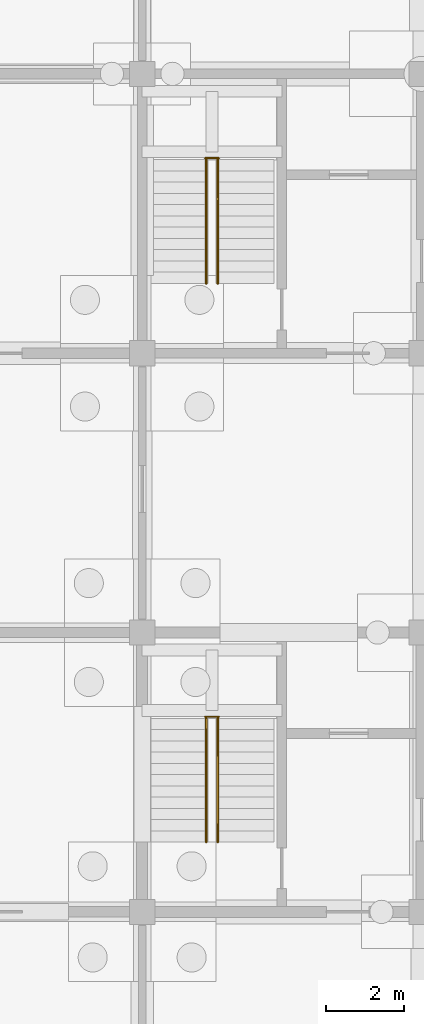
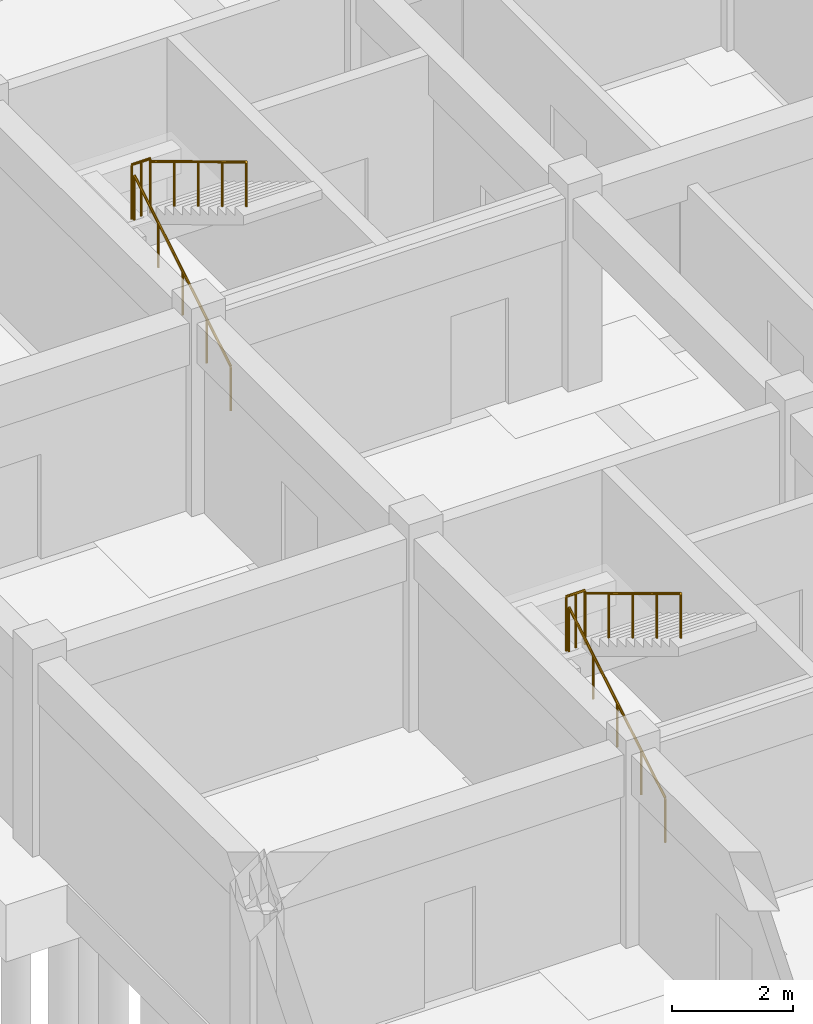
# One storey, part 36 of 38: 6 railings.
"""IFC4 building model written with IfcOpenShell, lengths in metres."""

from ifc_helpers import new_model, si_unit, direction, frame, origin, origin_2d, place, context, subcontext, project, spatial, circle, extrude, material, type_object, element, save


model = new_model("IFC4")

# Units and contexts
model_context = context("Model", 3, precision=1e-05, world=origin(), true_north=direction((0.0, 1.0)))
body_context = subcontext(model_context, "Body", "Model", "MODEL_VIEW")
ifc_project = project(units=[si_unit("LENGTHUNIT", "METRE"), si_unit("AREAUNIT", "SQUARE_METRE"), si_unit("VOLUMEUNIT", "CUBIC_METRE"), si_unit("PLANEANGLEUNIT", "RADIAN"), si_unit("MASSUNIT", "GRAM", prefix="KILO"), si_unit("THERMODYNAMICTEMPERATUREUNIT", "KELVIN"), si_unit("POWERUNIT", "WATT")], contexts=[model_context])

# Site, building, storey
site_placement = place(None, origin())
site = spatial("IfcSite", under=ifc_project, at=site_placement, CompositionType="ELEMENT")
building_placement = place(site_placement, origin())
building = spatial("IfcBuilding", under=site, at=building_placement, Name="Tavuni Mirador Residences", CompositionType="ELEMENT")
storey_placement = place(building_placement, frame((0.0, 0.0, -4.199951171875)))
storey = spatial("IfcBuildingStorey", under=building, at=storey_placement, Name="B1", CompositionType="ELEMENT", Elevation=-4.199951171875)

# Railings
ifc_material = material(Name="Structural steel S355", Category="steel")
railing_type_1 = type_object("IfcRailingType", Name="RT-GR1120", PredefinedType="GUARDRAIL", material=ifc_material)
for number, where, name in (
    (1, (12.419921875, 77.030029296875, 2.099853515625), "GRD-HL-ST3-B1"),
    (2, (12.419921875, 91.429931640625, 2.099853515625), "GRD-HL-ST4-B1"),
):
    element("IfcRailing", number, at=place(storey_placement, frame(where)), inside=storey, type_object=railing_type_1, Name=name, PredefinedType="GUARDRAIL", context=body_context, shape_type="SweptSolid", body=[
        extrude(circle(Radius=0.02392578125, at=origin_2d()), frame((0.0, 0.0, 1.09619140625), z_axis=(1.0, 0.0, 0.0), x_axis=(0.0, 1.0, 0.0)), (0.0, 0.0, 1.0), 0.360107421875),
        extrude(circle(Radius=0.02099609375, at=origin_2d()), origin(), (0.0, 0.0, 1.0), 1.072021484375),
        extrude(circle(Radius=0.02099609375, at=origin_2d()), frame((0.18017578125, 0.0, 0.0)), (0.0, 0.0, 1.0), 1.072021484375),
        extrude(circle(Radius=0.02099609375, at=origin_2d()), frame((0.360107421875, 0.0, 0.0)), (0.0, 0.0, 1.0), 1.072021484375),
    ])
railing_type_2 = type_object("IfcRailingType", Name="RT-HR920", PredefinedType="HANDRAIL", material=ifc_material)
railing_1_placement = place(storey_placement, frame((12.449951171875, 73.800048828125, 0.175048828125)))
element("IfcRailing", 3, at=railing_1_placement, inside=storey, type_object=railing_type_2, Name="HR-ST3-B1-F1", PredefinedType="HANDRAIL", context=body_context, shape_type="SweptSolid", body=[
    extrude(circle(Radius=0.02392578125, at=origin_2d()), frame((0.0, 0.0, 0.89599609375), z_axis=(0.0, 0.856206652436, 0.516633495163), x_axis=(-1.0, 0.0, 0.0)), (0.0, 0.0, 1.0), 3.7255859375),
    extrude(circle(Radius=0.02099609375, at=origin_2d()), origin(), (0.0, 0.0, 1.0), 0.871826171875),
    extrude(circle(Radius=0.02099609375, at=origin_2d()), frame((0.0, 0.79736328125, 0.481201171875)), (0.0, 0.0, 1.0), 0.871826171875),
    extrude(circle(Radius=0.02099609375, at=origin_2d()), frame((0.0, 1.594970703125, 0.96240234375)), (0.0, 0.0, 1.0), 0.871826171875),
    extrude(circle(Radius=0.02099609375, at=origin_2d()), frame((0.0, 2.392578125, 1.443603515625)), (0.0, 0.0, 1.0), 0.871826171875),
    extrude(circle(Radius=0.02099609375, at=origin_2d()), frame((0.0, 3.18994140625, 1.9248046875)), (0.0, 0.0, 1.0), 0.871826171875),
])
railing_2_placement = place(storey_placement, frame((12.75, 76.989990234375, 2.27490234375)))
element("IfcRailing", 4, at=railing_2_placement, inside=storey, type_object=railing_type_2, Name="HR-ST3-B1-F2", PredefinedType="HANDRAIL", context=body_context, shape_type="SweptSolid", body=[
    extrude(circle(Radius=0.02392578125, at=origin_2d()), frame((0.0, 0.0, 0.89599609375), z_axis=(0.0, -0.856177665481, 0.516681531633), x_axis=(1.0, 0.0, 0.0)), (0.0, 0.0, 1.0), 3.725830078125),
    extrude(circle(Radius=0.02099609375, at=origin_2d()), origin(), (0.0, 0.0, 1.0), 0.871826171875),
    extrude(circle(Radius=0.02099609375, at=origin_2d()), frame((0.0, -0.79736328125, 0.481201171875)), (0.0, 0.0, 1.0), 0.871826171875),
    extrude(circle(Radius=0.02099609375, at=origin_2d()), frame((0.0, -1.594970703125, 0.96240234375)), (0.0, 0.0, 1.0), 0.871826171875),
    extrude(circle(Radius=0.02099609375, at=origin_2d()), frame((0.0, -2.392578125, 1.44384765625)), (0.0, 0.0, 1.0), 0.871826171875),
    extrude(circle(Radius=0.02099609375, at=origin_2d()), frame((0.0, -3.18994140625, 1.925048828125)), (0.0, 0.0, 1.0), 0.871826171875),
])
railing_3_placement = place(storey_placement, frame((12.449951171875, 88.199951171875, 0.175048828125)))
element("IfcRailing", 5, at=railing_3_placement, inside=storey, type_object=railing_type_2, Name="HR-ST4-B1-F1", PredefinedType="HANDRAIL", context=body_context, shape_type="SweptSolid", body=[
    extrude(circle(Radius=0.02392578125, at=origin_2d()), frame((0.0, 0.0, 0.89599609375), z_axis=(0.0, 0.856206652436, 0.516633495163), x_axis=(-1.0, 0.0, 0.0)), (0.0, 0.0, 1.0), 3.7255859375),
    extrude(circle(Radius=0.02099609375, at=origin_2d()), origin(), (0.0, 0.0, 1.0), 0.871826171875),
    extrude(circle(Radius=0.02099609375, at=origin_2d()), frame((0.0, 0.79736328125, 0.481201171875)), (0.0, 0.0, 1.0), 0.871826171875),
    extrude(circle(Radius=0.02099609375, at=origin_2d()), frame((0.0, 1.594970703125, 0.96240234375)), (0.0, 0.0, 1.0), 0.871826171875),
    extrude(circle(Radius=0.02099609375, at=origin_2d()), frame((0.0, 2.392578125, 1.443603515625)), (0.0, 0.0, 1.0), 0.871826171875),
    extrude(circle(Radius=0.02099609375, at=origin_2d()), frame((0.0, 3.18994140625, 1.9248046875)), (0.0, 0.0, 1.0), 0.871826171875),
])
railing_4_placement = place(storey_placement, frame((12.75, 91.389892578125, 2.27490234375)))
element("IfcRailing", 6, at=railing_4_placement, inside=storey, type_object=railing_type_2, Name="HR-ST4-B1-F2", PredefinedType="HANDRAIL", context=body_context, shape_type="SweptSolid", body=[
    extrude(circle(Radius=0.02392578125, at=origin_2d()), frame((0.0, 0.0, 0.89599609375), z_axis=(0.0, -0.856177665481, 0.516681531633), x_axis=(1.0, 0.0, 0.0)), (0.0, 0.0, 1.0), 3.725830078125),
    extrude(circle(Radius=0.02099609375, at=origin_2d()), origin(), (0.0, 0.0, 1.0), 0.871826171875),
    extrude(circle(Radius=0.02099609375, at=origin_2d()), frame((0.0, -0.79736328125, 0.481201171875)), (0.0, 0.0, 1.0), 0.871826171875),
    extrude(circle(Radius=0.02099609375, at=origin_2d()), frame((0.0, -1.594970703125, 0.96240234375)), (0.0, 0.0, 1.0), 0.871826171875),
    extrude(circle(Radius=0.02099609375, at=origin_2d()), frame((0.0, -2.392578125, 1.44384765625)), (0.0, 0.0, 1.0), 0.871826171875),
    extrude(circle(Radius=0.02099609375, at=origin_2d()), frame((0.0, -3.18994140625, 1.925048828125)), (0.0, 0.0, 1.0), 0.871826171875),
])

save(model, "model.ifc")
